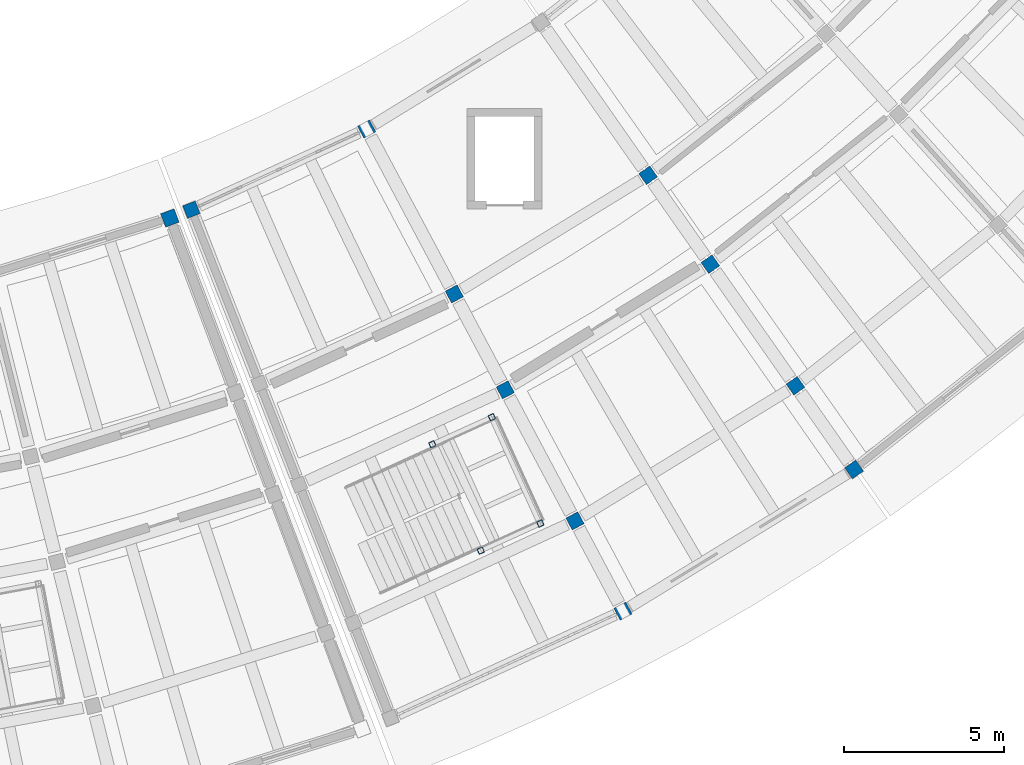
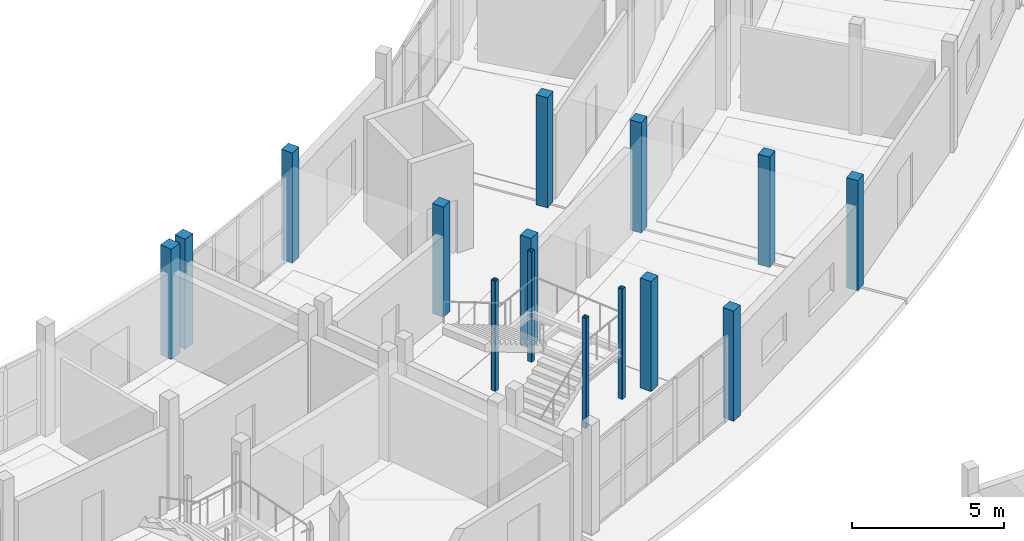
# One storey, part 14 of 92: 15 columns.
"""IFC4 building model written with IfcOpenShell, lengths in metres."""

from ifc_helpers import new_model, si_unit, direction, frame, origin, origin_2d, place, context, subcontext, project, spatial, rectangle, hollow_rectangle, extrude, material, material_profile, profile_set, type_object, element, save


model = new_model("IFC4")

# Units and contexts
model_context = context("Model", 3, precision=1e-05, world=origin(), true_north=direction((0.0, 1.0)))
body_context = subcontext(model_context, "Body", "Model", "MODEL_VIEW")
ifc_project = project(units=[si_unit("LENGTHUNIT", "METRE"), si_unit("AREAUNIT", "SQUARE_METRE"), si_unit("VOLUMEUNIT", "CUBIC_METRE"), si_unit("PLANEANGLEUNIT", "RADIAN"), si_unit("MASSUNIT", "GRAM", prefix="KILO")], contexts=[model_context])

# Site, building, storey
site_placement = place(None, origin())
site = spatial("IfcSite", under=ifc_project, at=site_placement, CompositionType="ELEMENT")
building_placement = place(site_placement, origin())
building = spatial("IfcBuilding", under=site, at=building_placement, Name="Caldaven Crescent School", CompositionType="ELEMENT")
storey_placement = place(building_placement, origin())
storey = spatial("IfcBuildingStorey", under=building, at=storey_placement, Name="L00", CompositionType="ELEMENT", Elevation=0.0)

# Columns
ifc_material_1 = material(Name="Glulam MLE24h (GL28h)", Category="wood")
ifc_material_profile_1 = material_profile(ifc_material_1, rectangle(XDim=0.419921875, YDim=0.419921875, at=origin_2d()), Name="MLE 420x420")
ifc_profile_set_1 = profile_set([ifc_material_profile_1], Name="Glulam MLE24h (GL28h)")
column_type_1 = type_object("IfcColumnType", Name="COL-GL42", PredefinedType="COLUMN", material=ifc_profile_set_1)
for number, where, z_axis, x_axis, name in (
    (1, (107.133056640625, 47.164306640625, 0.0), (0.0, 0.0, 1.0), (0.364714278886, -0.931119484694, 0.0), "COL-V4E-L00-00-0"),
    (2, (112.623779296875, 49.689453125, 0.0), (0.0, 0.0, 1.0), (0.469471562786, -0.882947592859, 0.0), "COL-V4E-L00-01-0"),
    (3, (115.3701171875, 44.524169921875, 0.0), (0.0, 0.0, 1.0), (0.469471562786, -0.882947592859, 0.0), "COL-V4E-L00-01-1"),
    (4, (116.96630859375, 41.522216796875, 0.0), (0.0, 0.0, 1.0), (0.469471562786, -0.882947592859, 0.0), "COL-V4E-L00-01-2"),
    (5, (119.1494140625, 37.41650390625, 0.0), (0.0, 0.0, 1.0), (0.469471562786, -0.882947592859, 0.0), "COL-V4E-L00-01-3"),
    (6, (120.65185546875, 34.591064453125, 0.0), (0.0, 0.0, 1.0), (0.469471562786, -0.882947592859, 0.0), "COL-V4E-L00-01-4"),
    (7, (121.439453125, 48.243408203125, 0.0), (0.0, 0.0, 1.0), (0.573576436351, -0.819152044289, 0.0), "COL-V4E-L00-02-1"),
    (8, (123.3896484375, 45.458251953125, 0.0), (0.0, 0.0, 1.0), (0.573576436351, -0.819152044289, 0.0), "COL-V4E-L00-02-2"),
    (9, (126.056884765625, 41.649169921875, 0.0), (0.0, 0.0, 1.0), (0.573576436351, -0.819152044289, 0.0), "COL-V4E-L00-02-3"),
    (10, (127.892333984375, 39.028076171875, 0.0), (0.0, 0.0, 1.0), (0.573576436351, -0.819152044289, 0.0), "COL-V4E-L00-02-4"),
):
    element("IfcColumn", number, at=place(storey_placement, frame(where, z_axis=z_axis, x_axis=x_axis)), inside=storey, type_object=column_type_1, Name=name, PredefinedType="COLUMN", context=body_context, shape_type="SweptSolid", body=[
        extrude(rectangle(XDim=0.419921875, YDim=0.419921875, at=origin_2d()), origin(), (0.0, 0.0, 1.0), 4.419921875),
    ])
ifc_material_profile_2 = material_profile(ifc_material_1, rectangle(XDim=0.449951171875, YDim=0.449951171875, at=origin_2d()), Name="MLE 450x450")
ifc_profile_set_2 = profile_set([ifc_material_profile_2], Name="Glulam MLE24h (GL28h)")
column_type_2 = type_object("IfcColumnType", Name="COL-GL45", PredefinedType="COLUMN", material=ifc_profile_set_2)
column_placement = place(storey_placement, frame((106.458740234375, 46.905517578125, 0.0), z_axis=(0.0, 0.0, 1.0), x_axis=(0.352005016254, -0.93599811353, 0.0)))
element("IfcColumn", 11, at=column_placement, inside=storey, type_object=column_type_2, Name="COL-V5-L00-06-0", PredefinedType="COLUMN", context=body_context, shape_type="SweptSolid", body=[
    extrude(rectangle(XDim=0.449951171875, YDim=0.449951171875, at=origin_2d()), origin(), (0.0, 0.0, 1.0), 4.419921875),
])
ifc_material_2 = material(Name="Steel ASTM A572 Grade 50", Category="steel")
ifc_material_profile_3 = material_profile(ifc_material_2, hollow_rectangle(XDim=0.179931640625, YDim=0.179931640625, WallThickness=0.010009765625, InnerFilletRadius=0.010009765625, OuterFilletRadius=0.02001953125, at=origin_2d()), Name="HSS 180x180x10")
ifc_profile_set_3 = profile_set([ifc_material_profile_3], Name="Steel ASTM A572 Grade 50")
column_type_3 = type_object("IfcColumnType", Name="COL-HS18", PredefinedType="COLUMN", material=ifc_profile_set_3)
for number, where, z_axis, x_axis, name in (
    (12, (116.19921875, 36.4853515625, 0.0), (0.0, 0.0, 1.0), (0.909961270877, 0.414693242656, 0.0), "COL-STPOST-ST4-L00-A"),
    (13, (114.681640625, 39.81591796875, 0.0), (0.0, 0.0, 1.0), (0.909961270877, 0.414693242656, 0.0), "COL-STPOST-ST4-L00-B"),
    (14, (118.064697265625, 37.33544921875, 0.0), (0.0, 0.0, 1.0), (0.909961270877, 0.414693242656, 0.0), "COL-STPOST-ST4-L00-C"),
    (15, (116.546875, 40.666015625, 0.0), (0.0, 0.0, 1.0), (0.909961270877, 0.414693242656, 0.0), "COL-STPOST-ST4-L00-D"),
):
    element("IfcColumn", number, at=place(storey_placement, frame(where, z_axis=z_axis, x_axis=x_axis)), inside=storey, type_object=column_type_3, Name=name, PredefinedType="COLUMN", context=body_context, shape_type="SweptSolid", body=[
        extrude(hollow_rectangle(XDim=0.179931640625, YDim=0.179931640625, WallThickness=0.010009765625, InnerFilletRadius=0.010009765625, OuterFilletRadius=0.02001953125, at=origin_2d()), origin(), (0.0, 0.0, 1.0), 4.419921875),
    ])

save(model, "model.ifc")
